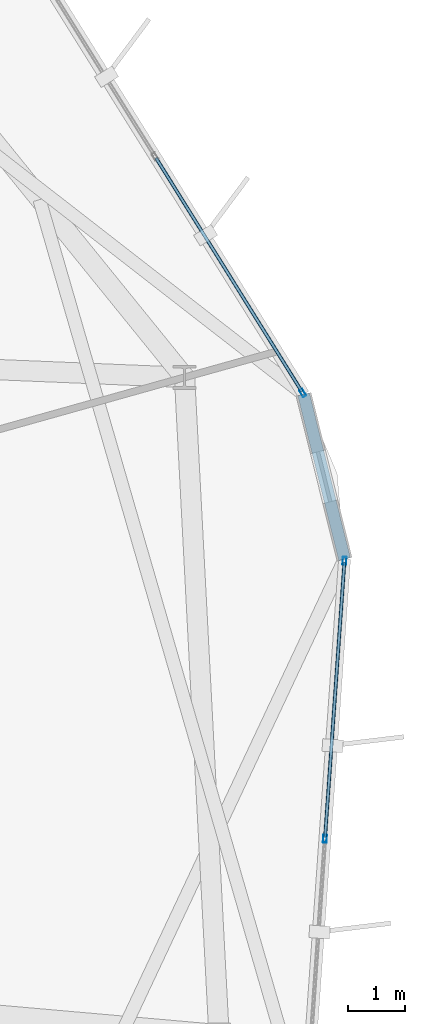
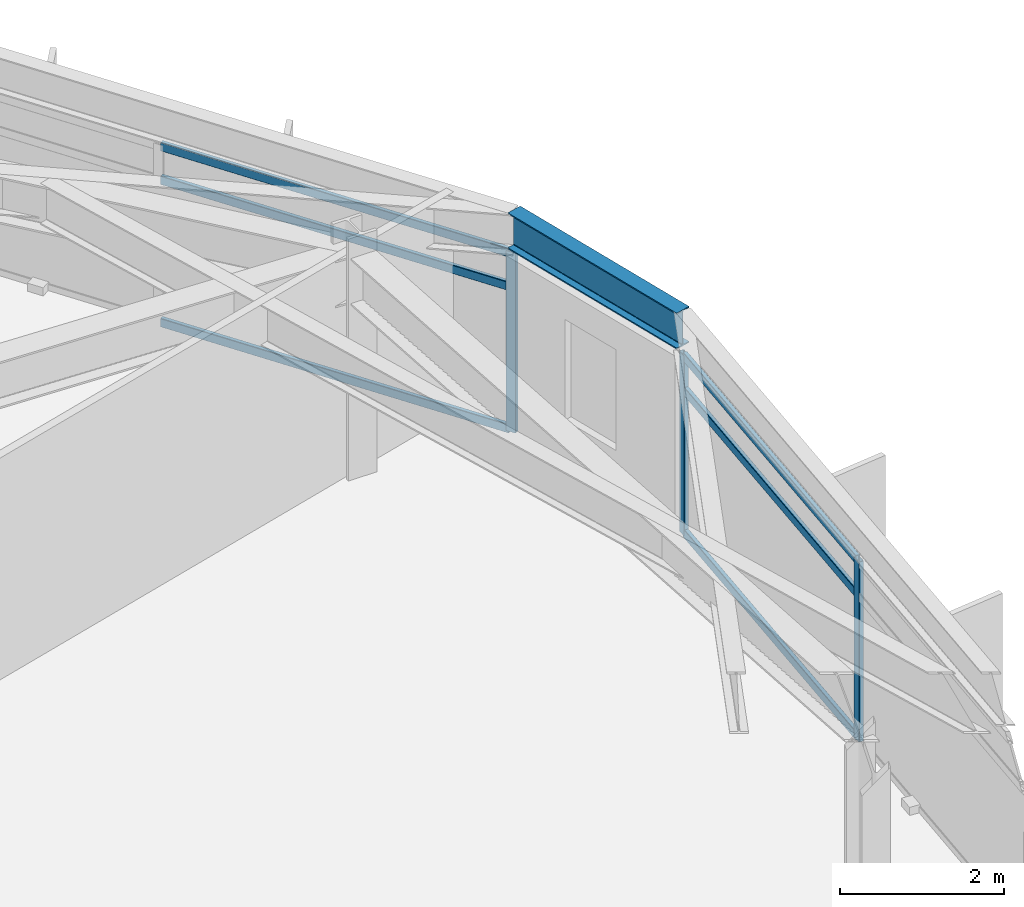
# One storey, part 10 of 23: 9 members, 1 beam, 2 elements without a shape of their own.
"""IFC4 building model written with IfcOpenShell, lengths in metres."""

from ifc_helpers import new_model, si_unit, direction, frame, origin, origin_2d, place, context, subcontext, project, spatial, hollow_rectangle, i_section, extrude, material, layer, layer_set, material_profile, profile_set, type_object, element, aggregate, save


model = new_model("IFC4")

# Units and contexts
model_context = context("Model", 3, precision=1e-05, world=origin(), true_north=direction((0.0, 1.0)))
body_context = subcontext(model_context, "Body", "Model", "MODEL_VIEW")
ifc_project = project(units=[si_unit("LENGTHUNIT", "METRE"), si_unit("AREAUNIT", "SQUARE_METRE"), si_unit("VOLUMEUNIT", "CUBIC_METRE"), si_unit("PLANEANGLEUNIT", "RADIAN"), si_unit("MASSUNIT", "GRAM", prefix="KILO")], contexts=[model_context])

# Site, building, storey
site_placement = place(None, origin())
site = spatial("IfcSite", under=ifc_project, at=site_placement, CompositionType="ELEMENT")
building_placement = place(site_placement, origin())
building = spatial("IfcBuilding", under=site, at=building_placement, Name="Soratama Intermodal Tower", CompositionType="ELEMENT")
storey_placement = place(building_placement, frame((0.0, 0.0, 215.800048828125)))
storey = spatial("IfcBuildingStorey", under=building, at=storey_placement, Name="L54", CompositionType="ELEMENT", Elevation=215.800048828125)

# Beam
ifc_material_1 = material(Name="Structural steel ASTM A992 Grade 50", Category="steel")
ifc_material_profile_1 = material_profile(ifc_material_1, i_section(OverallWidth=0.2099609375, OverallDepth=0.537109375, WebThickness=0.010986328125, FlangeThickness=0.017333984375, FilletRadius=0.012939453125, at=origin_2d()), Name="W21X68")
ifc_profile_set_1 = profile_set([ifc_material_profile_1], Name="Structural steel ASTM A992 Grade 50")
beam_type = type_object("IfcBeamType", Name="BM-SPN-W21X68", PredefinedType="SPANDREL", material=ifc_profile_set_1)
beam_placement = place(storey_placement, frame((65.159912109375, 28.490966796875, 3.031494140625), z_axis=(-0.241373233357, 0.970432358394, 0.0), x_axis=(-0.970432358394, -0.241373233357, 0.0)))
element("IfcBeam", 1, at=beam_placement, inside=storey, type_object=beam_type, Name="BS-L54-CRN09", PredefinedType="SPANDREL", context=body_context, shape_type="SweptSolid", body=[
    extrude(i_section(OverallWidth=0.2099609375, OverallDepth=0.537109375, WebThickness=0.010986328125, FlangeThickness=0.017333984375, FilletRadius=0.012939453125, at=origin_2d()), origin(), (0.0, 0.0, 1.0), 2.965576171875),
])

# Curtain wall, members
ifc_material_2 = material(Name="Double-glazed aluminium curtain wall", Category="aluminium")
ifc_layer = layer(ifc_material_2, 0.159912109375)
ifc_layer_set = layer_set([ifc_layer], Name="Double-glazed aluminium curtain wall")
curtain_wall_type = type_object("IfcCurtainWallType", Name="CW-SYS-5", PredefinedType="NOTDEFINED", material=ifc_layer_set)
curtain_wall_1_placement = place(storey_placement, origin())
curtain_wall_1 = element("IfcCurtainWall", 2, at=curtain_wall_1_placement, inside=storey, type_object=curtain_wall_type, Name="L54 Faceted Curtain Wall F09", PredefinedType="NOTDEFINED")
ifc_material_3 = material(Name="Anodised aluminium AA 6063-T6", Category="aluminium")
ifc_material_profile_2 = material_profile(ifc_material_3, hollow_rectangle(XDim=0.06494140625, YDim=0.139892578125, WallThickness=0.0048828125, InnerFilletRadius=0.0048828125, OuterFilletRadius=0.010009765625, at=origin_2d()), Name="CWM140X65X5")
ifc_profile_set_2 = profile_set([ifc_material_profile_2], Name="Anodised aluminium AA 6063-T6")
member_type_1 = type_object("IfcMemberType", Name="MT-CWM-5", PredefinedType="MULLION", material=ifc_profile_set_2)
member_1_placement = place(storey_placement, frame((64.817138671875, 23.607421875, 0.0), z_axis=(0.0, 0.0, 1.0), x_axis=(-0.997539347633, 0.070108843405, 0.0)))
member_1 = element("IfcMember", 3, at=member_1_placement, type_object=member_type_1, Name="CW-5 mullion 2", PredefinedType="MULLION", context=body_context, shape_type="SweptSolid", body=[
    extrude(hollow_rectangle(XDim=0.06494140625, YDim=0.139892578125, WallThickness=0.0048828125, InnerFilletRadius=0.0048828125, OuterFilletRadius=0.010009765625, at=origin_2d()), origin(), (0.0, 0.0, 1.0), 2.678955078125),
])
member_2_placement = place(storey_placement, frame((65.158203125, 28.460693359375, 0.0), z_axis=(0.0, 0.0, 1.0), x_axis=(-0.997539347633, 0.070108843405, 0.0)))
member_2 = element("IfcMember", 4, at=member_2_placement, type_object=member_type_1, Name="CW-5 mullion 3", PredefinedType="MULLION", context=body_context, shape_type="SweptSolid", body=[
    extrude(hollow_rectangle(XDim=0.06494140625, YDim=0.139892578125, WallThickness=0.0048828125, InnerFilletRadius=0.0048828125, OuterFilletRadius=0.010009765625, at=origin_2d()), origin(), (0.0, 0.0, 1.0), 2.678955078125),
])

# Curtain wall, member
curtain_wall_2_placement = place(storey_placement, origin())
curtain_wall_2 = element("IfcCurtainWall", 5, at=curtain_wall_2_placement, inside=storey, type_object=curtain_wall_type, Name="L54 Faceted Curtain Wall F10", PredefinedType="NOTDEFINED")
member_3_placement = place(storey_placement, frame((64.427734375, 31.39453125, 0.0), z_axis=(0.0, 0.0, 1.0), x_axis=(-0.848231192913, -0.529626135466, 0.0)))
member_3 = element("IfcMember", 6, at=member_3_placement, type_object=member_type_1, Name="CW-5 mullion 1", PredefinedType="MULLION", context=body_context, shape_type="SweptSolid", body=[
    extrude(hollow_rectangle(XDim=0.06494140625, YDim=0.139892578125, WallThickness=0.0048828125, InnerFilletRadius=0.0048828125, OuterFilletRadius=0.010009765625, at=origin_2d()), origin(), (0.0, 0.0, 1.0), 2.678955078125),
])

# Member
ifc_material_4 = material(Name="Anodised aluminium AA 6063-T6", Category="aluminium")
ifc_material_profile_3 = material_profile(ifc_material_4, hollow_rectangle(XDim=0.06005859375, YDim=0.1298828125, WallThickness=0.0048828125, InnerFilletRadius=0.0048828125, OuterFilletRadius=0.010009765625, at=origin_2d()), Name="CWT130X60X5")
ifc_profile_set_3 = profile_set([ifc_material_profile_3], Name="Anodised aluminium AA 6063-T6")
member_type_2 = type_object("IfcMemberType", Name="TT-CWT-2", PredefinedType="USERDEFINED", material=ifc_profile_set_3)
member_4_placement = place(storey_placement, frame((64.819091796875, 23.63720703125, 0.030029296875), z_axis=(0.070113266311, 0.997539036774, 0.0), x_axis=(-0.997539036774, 0.070113266311, 0.0)))
member_4 = element("IfcMember", 7, at=member_4_placement, type_object=member_type_2, Name="CW-5 transom 2.1", ObjectType="TRANSOM", PredefinedType="USERDEFINED", context=body_context, shape_type="SweptSolid", body=[
    extrude(hollow_rectangle(XDim=0.06005859375, YDim=0.1298828125, WallThickness=0.0048828125, InnerFilletRadius=0.0048828125, OuterFilletRadius=0.010009765625, at=origin_2d()), origin(), (0.0, 0.0, 1.0), 4.80517578125),
])

member_5_placement = place(storey_placement, frame((64.819091796875, 23.63720703125, 2.14990234375), z_axis=(0.070113266311, 0.997539036774, 0.0), x_axis=(-0.997539036774, 0.070113266311, 0.0)))
member_5 = element("IfcMember", 8, at=member_5_placement, type_object=member_type_2, Name="CW-5 transom 2.2", ObjectType="TRANSOM", PredefinedType="USERDEFINED", context=body_context, shape_type="SweptSolid", body=[
    extrude(hollow_rectangle(XDim=0.06005859375, YDim=0.1298828125, WallThickness=0.0048828125, InnerFilletRadius=0.0048828125, OuterFilletRadius=0.010009765625, at=origin_2d()), origin(), (0.0, 0.0, 1.0), 4.80517578125),
])

member_6_placement = place(storey_placement, frame((64.819091796875, 23.63720703125, 2.64892578125), z_axis=(0.070113266311, 0.997539036774, 0.0), x_axis=(-0.997539036774, 0.070113266311, 0.0)))
member_6 = element("IfcMember", 9, at=member_6_placement, type_object=member_type_2, Name="CW-5 transom 2.3", ObjectType="TRANSOM", PredefinedType="USERDEFINED", context=body_context, shape_type="SweptSolid", body=[
    extrude(hollow_rectangle(XDim=0.06005859375, YDim=0.1298828125, WallThickness=0.0048828125, InnerFilletRadius=0.0048828125, OuterFilletRadius=0.010009765625, at=origin_2d()), origin(), (0.0, 0.0, 1.0), 4.80517578125),
])

aggregate(curtain_wall_1, [member_1, member_2, member_4, member_5, member_6])

member_7_placement = place(storey_placement, frame((64.411865234375, 31.420166015625, 0.030029296875), z_axis=(-0.529619827099, 0.848235131755, 0.0), x_axis=(-0.848235131755, -0.529619827099, 0.0)))
member_7 = element("IfcMember", 10, at=member_7_placement, type_object=member_type_2, Name="CW-5 transom 1.1", ObjectType="TRANSOM", PredefinedType="USERDEFINED", context=body_context, shape_type="SweptSolid", body=[
    extrude(hollow_rectangle(XDim=0.06005859375, YDim=0.1298828125, WallThickness=0.0048828125, InnerFilletRadius=0.0048828125, OuterFilletRadius=0.010009765625, at=origin_2d()), origin(), (0.0, 0.0, 1.0), 4.80517578125),
])

member_8_placement = place(storey_placement, frame((64.411865234375, 31.420166015625, 2.14990234375), z_axis=(-0.529619827099, 0.848235131755, 0.0), x_axis=(-0.848235131755, -0.529619827099, 0.0)))
member_8 = element("IfcMember", 11, at=member_8_placement, type_object=member_type_2, Name="CW-5 transom 1.2", ObjectType="TRANSOM", PredefinedType="USERDEFINED", context=body_context, shape_type="SweptSolid", body=[
    extrude(hollow_rectangle(XDim=0.06005859375, YDim=0.1298828125, WallThickness=0.0048828125, InnerFilletRadius=0.0048828125, OuterFilletRadius=0.010009765625, at=origin_2d()), origin(), (0.0, 0.0, 1.0), 4.80517578125),
])

member_9_placement = place(storey_placement, frame((64.411865234375, 31.420166015625, 2.64892578125), z_axis=(-0.529619827099, 0.848235131755, 0.0), x_axis=(-0.848235131755, -0.529619827099, 0.0)))
member_9 = element("IfcMember", 12, at=member_9_placement, type_object=member_type_2, Name="CW-5 transom 1.3", ObjectType="TRANSOM", PredefinedType="USERDEFINED", context=body_context, shape_type="SweptSolid", body=[
    extrude(hollow_rectangle(XDim=0.06005859375, YDim=0.1298828125, WallThickness=0.0048828125, InnerFilletRadius=0.0048828125, OuterFilletRadius=0.010009765625, at=origin_2d()), origin(), (0.0, 0.0, 1.0), 4.80517578125),
])

aggregate(curtain_wall_2, [member_3, member_7, member_8, member_9])

save(model, "model.ifc")
